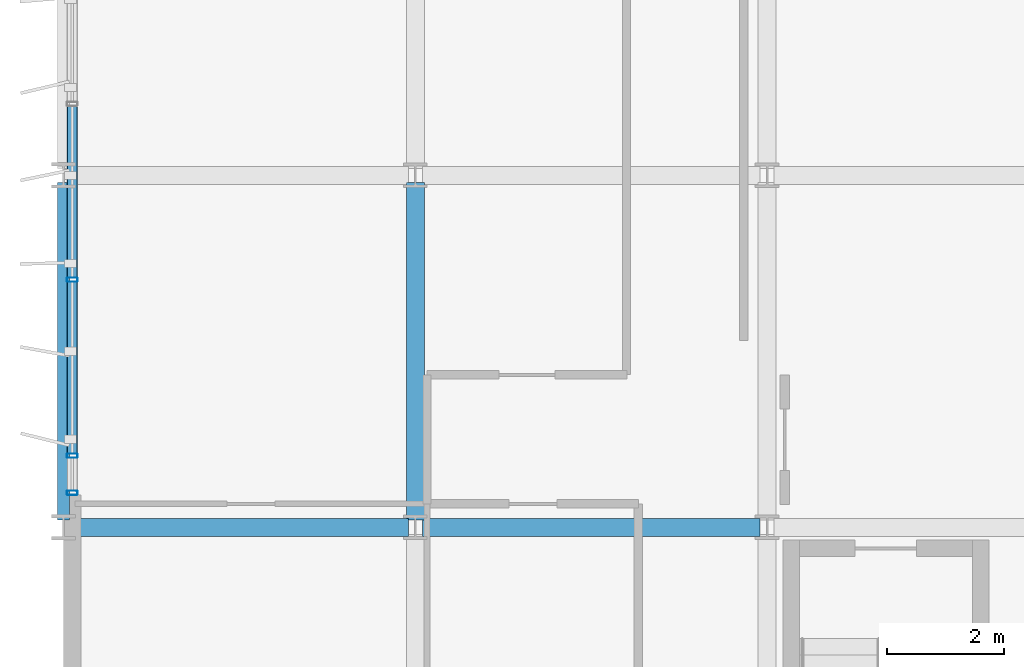
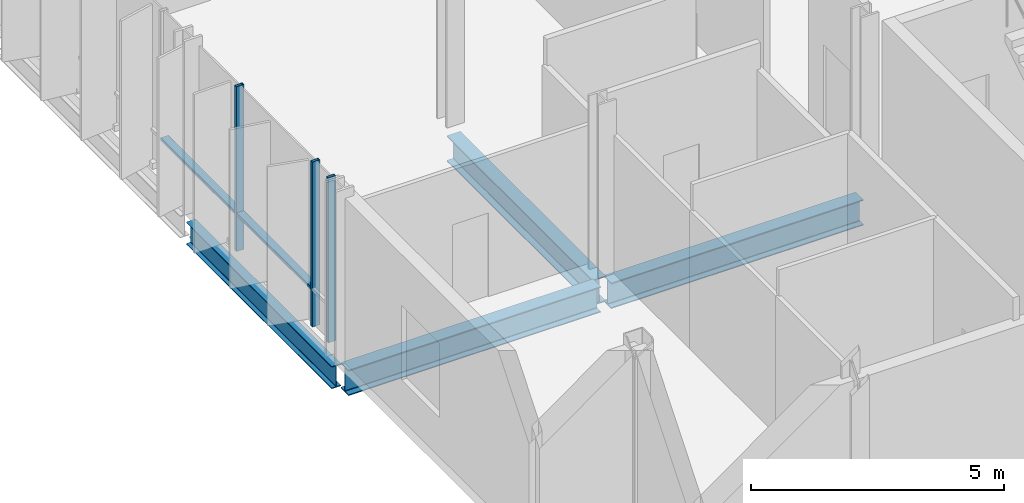
# One storey, part 2 of 32: 5 members, 4 beams, 1 element without a shape of its own.
"""IFC4 building model written with IfcOpenShell, lengths in metres."""

from ifc_helpers import new_model, si_unit, direction, frame, origin, origin_2d, place, context, subcontext, project, spatial, hollow_rectangle, i_section, extrude, material, layer, layer_set, material_profile, profile_set, type_object, element, aggregate, save


model = new_model("IFC4")

# Units and contexts
model_context = context("Model", 3, precision=1e-05, world=origin(), true_north=direction((0.0, 1.0)))
body_context = subcontext(model_context, "Body", "Model", "MODEL_VIEW")
ifc_project = project(units=[si_unit("LENGTHUNIT", "METRE"), si_unit("AREAUNIT", "SQUARE_METRE"), si_unit("VOLUMEUNIT", "CUBIC_METRE"), si_unit("PLANEANGLEUNIT", "RADIAN"), si_unit("MASSUNIT", "GRAM", prefix="KILO")], contexts=[model_context])

# Site, building, storey
site_placement = place(None, origin())
site = spatial("IfcSite", under=ifc_project, at=site_placement, CompositionType="ELEMENT")
building_placement = place(site_placement, origin())
building = spatial("IfcBuilding", under=site, at=building_placement, Name="Brevholm Reach", CompositionType="ELEMENT")
storey_placement = place(building_placement, frame((0.0, 0.0, 134.5)))
storey = spatial("IfcBuildingStorey", under=building, at=storey_placement, Name="L40", CompositionType="ELEMENT", Elevation=134.5)

# Beams
ifc_material_1 = material(Name="Structural Steel S355J2", Category="steel")
ifc_material_profile_1 = material_profile(ifc_material_1, i_section(OverallWidth=0.210693359375, OverallDepth=0.53955078125, WebThickness=0.01171875, FlangeThickness=0.018798828125, FilletRadius=0.0126953125, at=origin_2d()), Name="UKB 533x210x109")
ifc_profile_set_1 = profile_set([ifc_material_profile_1], Name="Structural Steel S355J2")
beam_type_1 = type_object("IfcBeamType", Name="BM-SP539", PredefinedType="SPANDREL", material=ifc_profile_set_1)
beam_placement = place(storey_placement, frame((0.0, 10.1201171875, -0.519775390625), z_axis=(0.0, 1.0, 0.0), x_axis=(-1.0, 0.0, 0.0)))
element("IfcBeam", 1, at=beam_placement, inside=storey, type_object=beam_type_1, Name="L40 SP-01B Framing Beam", PredefinedType="SPANDREL", context=body_context, shape_type="SweptSolid", body=[
    extrude(i_section(OverallWidth=0.210693359375, OverallDepth=0.53955078125, WebThickness=0.01171875, FlangeThickness=0.018798828125, FilletRadius=0.0126953125, at=origin_2d()), origin(), (0.0, 0.0, 1.0), 5.759765625),
])
ifc_material_2 = material(Name="Structural Steel S355J2", Category="steel")
ifc_material_profile_2 = material_profile(ifc_material_2, i_section(OverallWidth=0.30712890625, OverallDepth=0.6201171875, WebThickness=0.01416015625, FlangeThickness=0.023681640625, FilletRadius=0.0166015625, at=origin_2d()), Name="UKB 610x305x179")
ifc_profile_set_2 = profile_set([ifc_material_profile_2], Name="Structural Steel S355J2")
beam_type_2 = type_object("IfcBeamType", Name="BM-UKB610H", PredefinedType="USERDEFINED", material=ifc_profile_set_2)
for number, where, z_axis, x_axis, name in (
    (2, (0.1201171875, 10.0, -0.56005859375), (1.0, 0.0, 0.0), (0.0, 1.0, 0.0), "L40 G-06 Framing Beam"),
    (3, (6.1201171875, 10.0, -0.56005859375), (1.0, 0.0, 0.0), (0.0, 1.0, 0.0), "L40 G-06 Framing Beam"),
    (4, (6.0, 10.1201171875, -0.56005859375), (0.0, 1.0, 0.0), (-1.0, 0.0, 0.0), "L40 G-06 Framing Beam"),
):
    element("IfcBeam", number, at=place(storey_placement, frame(where, z_axis=z_axis, x_axis=x_axis)), inside=storey, type_object=beam_type_2, Name=name, ObjectType="GIRDER", PredefinedType="USERDEFINED", context=body_context, shape_type="SweptSolid", body=[
        extrude(i_section(OverallWidth=0.30712890625, OverallDepth=0.6201171875, WebThickness=0.01416015625, FlangeThickness=0.023681640625, FilletRadius=0.0166015625, at=origin_2d()), origin(), (0.0, 0.0, 1.0), 5.759765625),
    ])

# Curtain wall, members
ifc_material_3 = material(Name="Dark Anodised Aluminium 6063-T6 and Solar-Control Glass", Category="aluminium")
ifc_layer = layer(ifc_material_3, 0.179931640625)
ifc_layer_set = layer_set([ifc_layer], Name="Dark Anodised Aluminium 6063-T6 and Solar-Control Glass")
curtain_wall_type = type_object("IfcCurtainWallType", Name="CW-05", PredefinedType="NOTDEFINED", material=ifc_layer_set)
curtain_wall_placement = place(storey_placement, origin())
curtain_wall = element("IfcCurtainWall", 5, at=curtain_wall_placement, inside=storey, type_object=curtain_wall_type, Name="L40 Curtain Wall CW-05", PredefinedType="NOTDEFINED")
ifc_material_4 = material(Name="Dark Anodised Aluminium 6063-T6", Category="aluminium")
ifc_material_profile_3 = material_profile(ifc_material_4, hollow_rectangle(XDim=0.074951171875, YDim=0.179931640625, WallThickness=0.006103515625, InnerFilletRadius=0.006103515625, OuterFilletRadius=0.011962890625, at=origin_2d()), Name="RHS 180x75x6")
ifc_profile_set_3 = profile_set([ifc_material_profile_3], Name="Dark Anodised Aluminium 6063-T6")
member_type_1 = type_object("IfcMemberType", Name="CWM-180", PredefinedType="MULLION", material=ifc_profile_set_3)
member_1_placement = place(storey_placement, frame((0.14990234375, 14.219970703125, 0.0), z_axis=(0.0, 0.0, 1.0), x_axis=(0.0, -1.0, 0.0)))
member_1 = element("IfcMember", 6, at=member_1_placement, type_object=member_type_1, Name="CM-180 Mullion 4", PredefinedType="MULLION", context=body_context, shape_type="SweptSolid", body=[
    extrude(hollow_rectangle(XDim=0.074951171875, YDim=0.179931640625, WallThickness=0.006103515625, InnerFilletRadius=0.006103515625, OuterFilletRadius=0.011962890625, at=origin_2d()), origin(), (0.0, 0.0, 1.0), 3.97998046875),
])
member_2_placement = place(storey_placement, frame((0.14990234375, 11.219970703125, 0.0), z_axis=(0.0, 0.0, 1.0), x_axis=(0.0, -1.0, 0.0)))
member_2 = element("IfcMember", 7, at=member_2_placement, type_object=member_type_1, Name="CM-180 Mullion 5", PredefinedType="MULLION", context=body_context, shape_type="SweptSolid", body=[
    extrude(hollow_rectangle(XDim=0.074951171875, YDim=0.179931640625, WallThickness=0.006103515625, InnerFilletRadius=0.006103515625, OuterFilletRadius=0.011962890625, at=origin_2d()), origin(), (0.0, 0.0, 1.0), 3.97998046875),
])
member_3_placement = place(storey_placement, frame((0.14990234375, 10.58740234375, 0.0), z_axis=(0.0, 0.0, 1.0), x_axis=(0.0, -1.0, 0.0)))
member_3 = element("IfcMember", 8, at=member_3_placement, type_object=member_type_1, Name="CM-180 Mullion 6", PredefinedType="MULLION", context=body_context, shape_type="SweptSolid", body=[
    extrude(hollow_rectangle(XDim=0.074951171875, YDim=0.179931640625, WallThickness=0.006103515625, InnerFilletRadius=0.006103515625, OuterFilletRadius=0.011962890625, at=origin_2d()), origin(), (0.0, 0.0, 1.0), 3.97998046875),
])
ifc_material_5 = material(Name="Dark Anodised Aluminium 6063-T6", Category="aluminium")
ifc_material_profile_4 = material_profile(ifc_material_5, hollow_rectangle(XDim=0.074951171875, YDim=0.179931640625, WallThickness=0.006103515625, InnerFilletRadius=0.006103515625, OuterFilletRadius=0.011962890625, at=origin_2d()), Name="RHS 180x75x6")
ifc_profile_set_4 = profile_set([ifc_material_profile_4], Name="Dark Anodised Aluminium 6063-T6")
member_type_2 = type_object("IfcMemberType", Name="CWT-180", PredefinedType="NOTDEFINED", material=ifc_profile_set_4)
member_4_placement = place(storey_placement, frame((0.14990234375, 17.1826171875, 0.89990234375), z_axis=(0.0, -1.0, 0.0), x_axis=(0.0, 0.0, 1.0)))
member_4 = element("IfcMember", 9, at=member_4_placement, type_object=member_type_2, Name="CT-180 Transom 3.1", ObjectType="TRANSOM", PredefinedType="USERDEFINED", context=body_context, shape_type="SweptSolid", body=[
    extrude(hollow_rectangle(XDim=0.074951171875, YDim=0.179931640625, WallThickness=0.006103515625, InnerFilletRadius=0.006103515625, OuterFilletRadius=0.011962890625, at=origin_2d()), origin(), (0.0, 0.0, 1.0), 2.925048828125),
])
member_5_placement = place(storey_placement, frame((0.14990234375, 14.1826171875, 0.89990234375), z_axis=(0.0, -1.0, 0.0), x_axis=(0.0, 0.0, 1.0)))
member_5 = element("IfcMember", 10, at=member_5_placement, type_object=member_type_2, Name="CT-180 Transom 4.1", ObjectType="TRANSOM", PredefinedType="USERDEFINED", context=body_context, shape_type="SweptSolid", body=[
    extrude(hollow_rectangle(XDim=0.074951171875, YDim=0.179931640625, WallThickness=0.006103515625, InnerFilletRadius=0.006103515625, OuterFilletRadius=0.011962890625, at=origin_2d()), origin(), (0.0, 0.0, 1.0), 2.925048828125),
])
aggregate(curtain_wall, [member_1, member_2, member_3, member_4, member_5])

save(model, "model.ifc")
